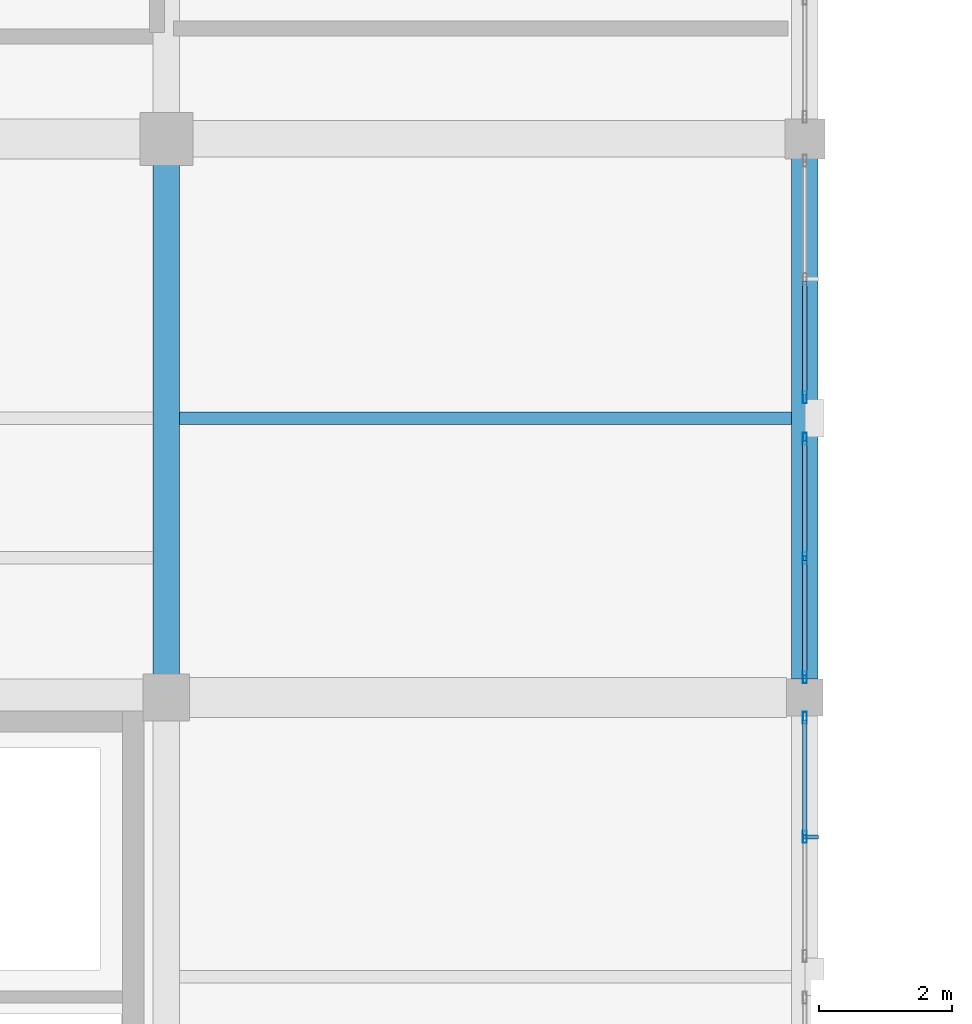
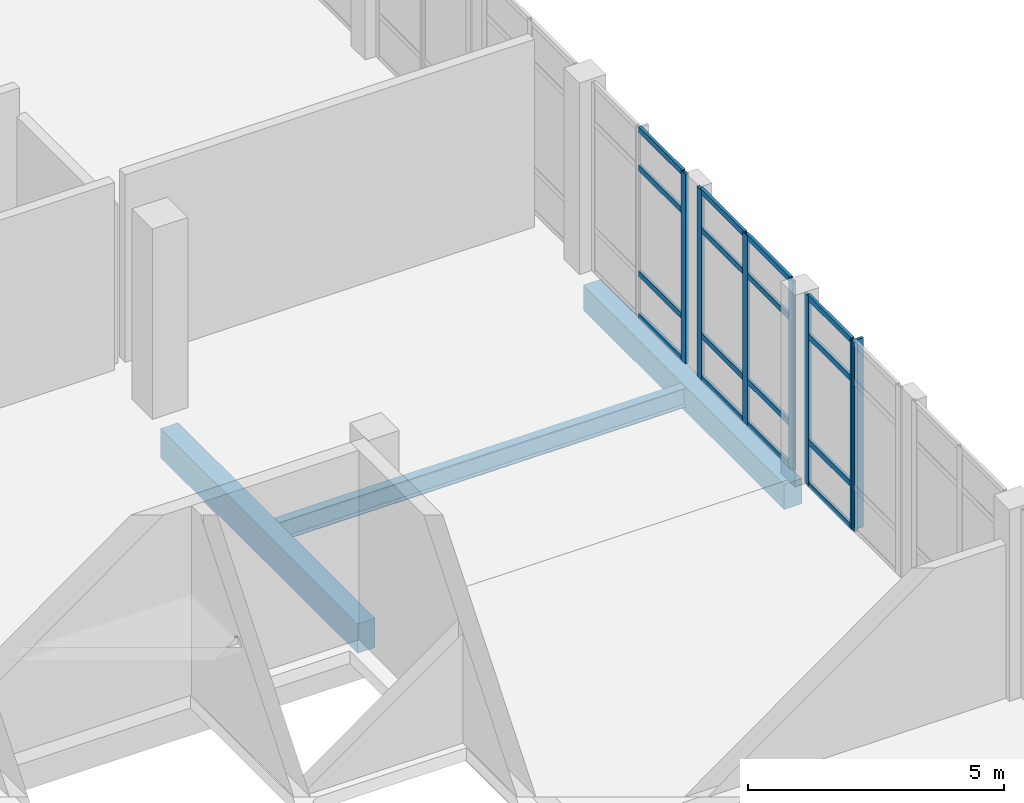
# One storey, part 65 of 102: 23 members, 3 beams, 3 elements without a shape of their own.
"""IFC4 building model written with IfcOpenShell, lengths in metres."""

from ifc_helpers import new_model, si_unit, direction, frame, origin, origin_2d, place, context, subcontext, project, spatial, rectangle, hollow_rectangle, i_section, extrude, material, layer, layer_set, material_profile, profile_set, type_object, element, aggregate, save


model = new_model("IFC4")

# Units and contexts
model_context = context("Model", 3, precision=1e-05, world=origin(), true_north=direction((0.0, 1.0)))
body_context = subcontext(model_context, "Body", "Model", "MODEL_VIEW")
ifc_project = project(units=[si_unit("LENGTHUNIT", "METRE"), si_unit("AREAUNIT", "SQUARE_METRE"), si_unit("VOLUMEUNIT", "CUBIC_METRE"), si_unit("PLANEANGLEUNIT", "RADIAN"), si_unit("MASSUNIT", "GRAM", prefix="KILO")], contexts=[model_context])

# Site, building, storey
site_placement = place(None, origin())
site = spatial("IfcSite", under=ifc_project, at=site_placement, CompositionType="ELEMENT")
building_placement = place(site_placement, origin())
building = spatial("IfcBuilding", under=site, at=building_placement, Name="Lornevale Opera House", CompositionType="ELEMENT")
storey_placement = place(building_placement, frame((0.0, 0.0, 5.39990234375)))
storey = spatial("IfcBuildingStorey", under=building, at=storey_placement, Name="L02", CompositionType="ELEMENT", Elevation=5.39990234375)

# Beams
ifc_material_1 = material(Name="Concrete 35 MPa (CSA A23.1 N)", Category="concrete")
ifc_material_profile_1 = material_profile(ifc_material_1, rectangle(XDim=0.39990234375, YDim=0.699951171875, at=origin_2d()), Name="RC400x700")
ifc_profile_set_1 = profile_set([ifc_material_profile_1], Name="Concrete 35 MPa (CSA A23.1 N)")
beam_type_1 = type_object("IfcBeamType", Name="Concrete Floor Beam 400x700", PredefinedType="USERDEFINED", material=ifc_profile_set_1)
beam_1_placement = place(storey_placement, frame((144.0, 42.324951171875, -0.64990234375), z_axis=(0.0, 1.0, 0.0), x_axis=(-1.0, 0.0, 0.0)))
element("IfcBeam", 1, at=beam_1_placement, inside=storey, type_object=beam_type_1, Name="Concrete Floor Beam 400x700 1964", ObjectType="GIRDER", PredefinedType="USERDEFINED", context=body_context, shape_type="SweptSolid", body=[
    extrude(rectangle(XDim=0.39990234375, YDim=0.699951171875, at=origin_2d()), origin(), (0.0, 0.0, 1.0), 7.699951171875),
])
ifc_material_profile_2 = material_profile(ifc_material_1, rectangle(XDim=0.39990234375, YDim=0.60009765625, at=origin_2d()), Name="RC400x600")
ifc_profile_set_2 = profile_set([ifc_material_profile_2], Name="Concrete 35 MPa (CSA A23.1 N)")
beam_type_2 = type_object("IfcBeamType", Name="Concrete Spandrel Beam 400x600", PredefinedType="SPANDREL", material=ifc_profile_set_2)
beam_2_placement = place(storey_placement, frame((153.60009765625, 42.27490234375, -0.599853515625), z_axis=(0.0, 1.0, 0.0), x_axis=(-1.0, 0.0, 0.0)))
element("IfcBeam", 2, at=beam_2_placement, inside=storey, type_object=beam_type_2, Name="Concrete Spandrel Beam 400x600 1973", PredefinedType="SPANDREL", context=body_context, shape_type="SweptSolid", body=[
    extrude(rectangle(XDim=0.39990234375, YDim=0.60009765625, at=origin_2d()), origin(), (0.0, 0.0, 1.0), 7.85009765625),
])

# Curtain wall, members
ifc_material_2 = material(Name="Anodized Oxide-Green Aluminium Framing", Category="aluminium")
ifc_layer = layer(ifc_material_2, 0.179931640625)
ifc_layer_set = layer_set([ifc_layer], Name="Anodized Oxide-Green Aluminium Framing")
curtain_wall_type = type_object("IfcCurtainWallType", Name="Promenade Gallery Curtain Wall M1800", PredefinedType="NOTDEFINED", material=ifc_layer_set)
curtain_wall_1_placement = place(storey_placement, origin())
curtain_wall_1 = element("IfcCurtainWall", 3, at=curtain_wall_1_placement, inside=storey, type_object=curtain_wall_type, Name="Promenade Gallery Curtain Wall M1800 CW-082", PredefinedType="NOTDEFINED")
ifc_material_profile_3 = material_profile(ifc_material_2, hollow_rectangle(XDim=0.06494140625, YDim=0.179931640625, WallThickness=0.0048828125, at=origin_2d()), Name="ALU65x180x5")
ifc_profile_set_3 = profile_set([ifc_material_profile_3], Name="Anodized Oxide-Green Aluminium Framing")
member_type_1 = type_object("IfcMemberType", Name="Curtain Wall Mullion 65x180", PredefinedType="MULLION", material=ifc_profile_set_3)
member_1_placement = place(storey_placement, frame((153.60009765625, 41.696533203125, 0.0), z_axis=(0.0, 0.0, 1.0), x_axis=(1.0, 0.0, 0.0)))
member_1 = element("IfcMember", 4, at=member_1_placement, type_object=member_type_1, Name="Curtain Wall Mullion 65x180 CW1650", PredefinedType="MULLION", context=body_context, shape_type="SweptSolid", body=[
    extrude(hollow_rectangle(XDim=0.06494140625, YDim=0.179931640625, WallThickness=0.0048828125, at=origin_2d()), origin(), (0.0, 0.0, 1.0), 4.52001953125),
])
member_2_placement = place(storey_placement, frame((153.60009765625, 39.904541015625, 0.0), z_axis=(0.0, 0.0, 1.0), x_axis=(1.0, 0.0, 0.0)))
member_2 = element("IfcMember", 5, at=member_2_placement, type_object=member_type_1, Name="Curtain Wall Mullion 65x180 CW1651", PredefinedType="MULLION", context=body_context, shape_type="SweptSolid", body=[
    extrude(hollow_rectangle(XDim=0.06494140625, YDim=0.179931640625, WallThickness=0.0048828125, at=origin_2d()), origin(), (0.0, 0.0, 1.0), 4.52001953125),
])

# Curtain wall, member
curtain_wall_2_placement = place(storey_placement, origin())
curtain_wall_2 = element("IfcCurtainWall", 6, at=curtain_wall_2_placement, inside=storey, type_object=curtain_wall_type, Name="Promenade Gallery Curtain Wall M1800 CW-084", PredefinedType="NOTDEFINED")
member_3_placement = place(storey_placement, frame((153.60009765625, 46.512451171875, 0.0), z_axis=(0.0, 0.0, 1.0), x_axis=(1.0, 0.0, 0.0)))
member_3 = element("IfcMember", 7, at=member_3_placement, type_object=member_type_1, Name="Curtain Wall Mullion 65x180 CW1686", PredefinedType="MULLION", context=body_context, shape_type="SweptSolid", body=[
    extrude(hollow_rectangle(XDim=0.06494140625, YDim=0.179931640625, WallThickness=0.0048828125, at=origin_2d()), origin(), (0.0, 0.0, 1.0), 4.52001953125),
])

# Curtain wall, members
curtain_wall_3_placement = place(storey_placement, origin())
curtain_wall_3 = element("IfcCurtainWall", 8, at=curtain_wall_3_placement, inside=storey, type_object=curtain_wall_type, Name="Promenade Gallery Curtain Wall M1800 CW-085", PredefinedType="NOTDEFINED")
member_4_placement = place(storey_placement, frame((153.60009765625, 45.887451171875, 0.0), z_axis=(0.0, 0.0, 1.0), x_axis=(1.0, 0.0, 0.0)))
member_4 = element("IfcMember", 9, at=member_4_placement, type_object=member_type_1, Name="Curtain Wall Mullion 65x180 CW1701", PredefinedType="MULLION", context=body_context, shape_type="SweptSolid", body=[
    extrude(hollow_rectangle(XDim=0.06494140625, YDim=0.179931640625, WallThickness=0.0048828125, at=origin_2d()), origin(), (0.0, 0.0, 1.0), 4.52001953125),
])
member_5_placement = place(storey_placement, frame((153.60009765625, 44.095458984375, 0.0), z_axis=(0.0, 0.0, 1.0), x_axis=(1.0, 0.0, 0.0)))
member_5 = element("IfcMember", 10, at=member_5_placement, type_object=member_type_1, Name="Curtain Wall Mullion 65x180 CW1702", PredefinedType="MULLION", context=body_context, shape_type="SweptSolid", body=[
    extrude(hollow_rectangle(XDim=0.06494140625, YDim=0.179931640625, WallThickness=0.0048828125, at=origin_2d()), origin(), (0.0, 0.0, 1.0), 4.52001953125),
])
member_6_placement = place(storey_placement, frame((153.60009765625, 42.303466796875, 0.0), z_axis=(0.0, 0.0, 1.0), x_axis=(1.0, 0.0, 0.0)))
member_6 = element("IfcMember", 11, at=member_6_placement, type_object=member_type_1, Name="Curtain Wall Mullion 65x180 CW1703", PredefinedType="MULLION", context=body_context, shape_type="SweptSolid", body=[
    extrude(hollow_rectangle(XDim=0.06494140625, YDim=0.179931640625, WallThickness=0.0048828125, at=origin_2d()), origin(), (0.0, 0.0, 1.0), 4.52001953125),
])

# Member
ifc_material_profile_4 = material_profile(ifc_material_2, hollow_rectangle(XDim=0.06494140625, YDim=0.135009765625, WallThickness=0.00390625, at=origin_2d()), Name="ALU65x135x4")
ifc_profile_set_4 = profile_set([ifc_material_profile_4], Name="Anodized Oxide-Green Aluminium Framing")
member_type_2 = type_object("IfcMemberType", Name="Curtain Wall Transom 65x135", PredefinedType="USERDEFINED", material=ifc_profile_set_4)
member_7_placement = place(storey_placement, frame((153.60009765625, 41.6640625, 0.03271484375), z_axis=(0.0, -1.0, 0.0), x_axis=(1.0, 0.0, 0.0)))
member_7 = element("IfcMember", 12, at=member_7_placement, type_object=member_type_2, Name="Curtain Wall Transom 65x135 CW1653", ObjectType="TRANSOM", PredefinedType="USERDEFINED", context=body_context, shape_type="SweptSolid", body=[
    extrude(hollow_rectangle(XDim=0.06494140625, YDim=0.135009765625, WallThickness=0.00390625, at=origin_2d()), origin(), (0.0, 0.0, 1.0), 1.72705078125),
])

member_8_placement = place(storey_placement, frame((153.60009765625, 41.6640625, 1.050048828125), z_axis=(0.0, -1.0, 0.0), x_axis=(1.0, 0.0, 0.0)))
member_8 = element("IfcMember", 13, at=member_8_placement, type_object=member_type_2, Name="Curtain Wall Transom 65x135 CW1654", ObjectType="TRANSOM", PredefinedType="USERDEFINED", context=body_context, shape_type="SweptSolid", body=[
    extrude(hollow_rectangle(XDim=0.06494140625, YDim=0.135009765625, WallThickness=0.00390625, at=origin_2d()), origin(), (0.0, 0.0, 1.0), 1.72705078125),
])

member_9_placement = place(storey_placement, frame((153.60009765625, 41.6640625, 3.570068359375), z_axis=(0.0, -1.0, 0.0), x_axis=(1.0, 0.0, 0.0)))
member_9 = element("IfcMember", 14, at=member_9_placement, type_object=member_type_2, Name="Curtain Wall Transom 65x135 CW1655", ObjectType="TRANSOM", PredefinedType="USERDEFINED", context=body_context, shape_type="SweptSolid", body=[
    extrude(hollow_rectangle(XDim=0.06494140625, YDim=0.135009765625, WallThickness=0.00390625, at=origin_2d()), origin(), (0.0, 0.0, 1.0), 1.72705078125),
])

member_10_placement = place(storey_placement, frame((153.60009765625, 41.6640625, 4.487548828125), z_axis=(0.0, -1.0, 0.0), x_axis=(1.0, 0.0, 0.0)))
member_10 = element("IfcMember", 15, at=member_10_placement, type_object=member_type_2, Name="Curtain Wall Transom 65x135 CW1656", ObjectType="TRANSOM", PredefinedType="USERDEFINED", context=body_context, shape_type="SweptSolid", body=[
    extrude(hollow_rectangle(XDim=0.06494140625, YDim=0.135009765625, WallThickness=0.00390625, at=origin_2d()), origin(), (0.0, 0.0, 1.0), 1.72705078125),
])

member_11_placement = place(storey_placement, frame((153.60009765625, 48.259521484375, 0.03271484375), z_axis=(0.0, -1.0, 0.0), x_axis=(1.0, 0.0, 0.0)))
member_11 = element("IfcMember", 16, at=member_11_placement, type_object=member_type_2, Name="Curtain Wall Transom 65x135 CW1694", ObjectType="TRANSOM", PredefinedType="USERDEFINED", context=body_context, shape_type="SweptSolid", body=[
    extrude(hollow_rectangle(XDim=0.06494140625, YDim=0.135009765625, WallThickness=0.00390625, at=origin_2d()), origin(), (0.0, 0.0, 1.0), 1.714599609375),
])

member_12_placement = place(storey_placement, frame((153.60009765625, 48.259521484375, 1.050048828125), z_axis=(0.0, -1.0, 0.0), x_axis=(1.0, 0.0, 0.0)))
member_12 = element("IfcMember", 17, at=member_12_placement, type_object=member_type_2, Name="Curtain Wall Transom 65x135 CW1695", ObjectType="TRANSOM", PredefinedType="USERDEFINED", context=body_context, shape_type="SweptSolid", body=[
    extrude(hollow_rectangle(XDim=0.06494140625, YDim=0.135009765625, WallThickness=0.00390625, at=origin_2d()), origin(), (0.0, 0.0, 1.0), 1.714599609375),
])

member_13_placement = place(storey_placement, frame((153.60009765625, 48.259521484375, 3.570068359375), z_axis=(0.0, -1.0, 0.0), x_axis=(1.0, 0.0, 0.0)))
member_13 = element("IfcMember", 18, at=member_13_placement, type_object=member_type_2, Name="Curtain Wall Transom 65x135 CW1696", ObjectType="TRANSOM", PredefinedType="USERDEFINED", context=body_context, shape_type="SweptSolid", body=[
    extrude(hollow_rectangle(XDim=0.06494140625, YDim=0.135009765625, WallThickness=0.00390625, at=origin_2d()), origin(), (0.0, 0.0, 1.0), 1.714599609375),
])

member_14_placement = place(storey_placement, frame((153.60009765625, 48.259521484375, 4.487548828125), z_axis=(0.0, -1.0, 0.0), x_axis=(1.0, 0.0, 0.0)))
member_14 = element("IfcMember", 19, at=member_14_placement, type_object=member_type_2, Name="Curtain Wall Transom 65x135 CW1697", ObjectType="TRANSOM", PredefinedType="USERDEFINED", context=body_context, shape_type="SweptSolid", body=[
    extrude(hollow_rectangle(XDim=0.06494140625, YDim=0.135009765625, WallThickness=0.00390625, at=origin_2d()), origin(), (0.0, 0.0, 1.0), 1.714599609375),
])

aggregate(curtain_wall_2, [member_3, member_11, member_12, member_13, member_14])

member_15_placement = place(storey_placement, frame((153.60009765625, 45.85498046875, 0.03271484375), z_axis=(0.0, -1.0, 0.0), x_axis=(1.0, 0.0, 0.0)))
member_15 = element("IfcMember", 20, at=member_15_placement, type_object=member_type_2, Name="Curtain Wall Transom 65x135 CW1704", ObjectType="TRANSOM", PredefinedType="USERDEFINED", context=body_context, shape_type="SweptSolid", body=[
    extrude(hollow_rectangle(XDim=0.06494140625, YDim=0.135009765625, WallThickness=0.00390625, at=origin_2d()), origin(), (0.0, 0.0, 1.0), 1.72705078125),
])

member_16_placement = place(storey_placement, frame((153.60009765625, 45.85498046875, 1.050048828125), z_axis=(0.0, -1.0, 0.0), x_axis=(1.0, 0.0, 0.0)))
member_16 = element("IfcMember", 21, at=member_16_placement, type_object=member_type_2, Name="Curtain Wall Transom 65x135 CW1705", ObjectType="TRANSOM", PredefinedType="USERDEFINED", context=body_context, shape_type="SweptSolid", body=[
    extrude(hollow_rectangle(XDim=0.06494140625, YDim=0.135009765625, WallThickness=0.00390625, at=origin_2d()), origin(), (0.0, 0.0, 1.0), 1.72705078125),
])

member_17_placement = place(storey_placement, frame((153.60009765625, 45.85498046875, 3.570068359375), z_axis=(0.0, -1.0, 0.0), x_axis=(1.0, 0.0, 0.0)))
member_17 = element("IfcMember", 22, at=member_17_placement, type_object=member_type_2, Name="Curtain Wall Transom 65x135 CW1706", ObjectType="TRANSOM", PredefinedType="USERDEFINED", context=body_context, shape_type="SweptSolid", body=[
    extrude(hollow_rectangle(XDim=0.06494140625, YDim=0.135009765625, WallThickness=0.00390625, at=origin_2d()), origin(), (0.0, 0.0, 1.0), 1.72705078125),
])

member_18_placement = place(storey_placement, frame((153.60009765625, 45.85498046875, 4.487548828125), z_axis=(0.0, -1.0, 0.0), x_axis=(1.0, 0.0, 0.0)))
member_18 = element("IfcMember", 23, at=member_18_placement, type_object=member_type_2, Name="Curtain Wall Transom 65x135 CW1707", ObjectType="TRANSOM", PredefinedType="USERDEFINED", context=body_context, shape_type="SweptSolid", body=[
    extrude(hollow_rectangle(XDim=0.06494140625, YDim=0.135009765625, WallThickness=0.00390625, at=origin_2d()), origin(), (0.0, 0.0, 1.0), 1.72705078125),
])

member_19_placement = place(storey_placement, frame((153.60009765625, 44.06298828125, 0.03271484375), z_axis=(0.0, -1.0, 0.0), x_axis=(1.0, 0.0, 0.0)))
member_19 = element("IfcMember", 24, at=member_19_placement, type_object=member_type_2, Name="Curtain Wall Transom 65x135 CW1711", ObjectType="TRANSOM", PredefinedType="USERDEFINED", context=body_context, shape_type="SweptSolid", body=[
    extrude(hollow_rectangle(XDim=0.06494140625, YDim=0.135009765625, WallThickness=0.00390625, at=origin_2d()), origin(), (0.0, 0.0, 1.0), 1.72705078125),
])

member_20_placement = place(storey_placement, frame((153.60009765625, 44.06298828125, 1.050048828125), z_axis=(0.0, -1.0, 0.0), x_axis=(1.0, 0.0, 0.0)))
member_20 = element("IfcMember", 25, at=member_20_placement, type_object=member_type_2, Name="Curtain Wall Transom 65x135 CW1712", ObjectType="TRANSOM", PredefinedType="USERDEFINED", context=body_context, shape_type="SweptSolid", body=[
    extrude(hollow_rectangle(XDim=0.06494140625, YDim=0.135009765625, WallThickness=0.00390625, at=origin_2d()), origin(), (0.0, 0.0, 1.0), 1.72705078125),
])

member_21_placement = place(storey_placement, frame((153.60009765625, 44.06298828125, 3.570068359375), z_axis=(0.0, -1.0, 0.0), x_axis=(1.0, 0.0, 0.0)))
member_21 = element("IfcMember", 26, at=member_21_placement, type_object=member_type_2, Name="Curtain Wall Transom 65x135 CW1713", ObjectType="TRANSOM", PredefinedType="USERDEFINED", context=body_context, shape_type="SweptSolid", body=[
    extrude(hollow_rectangle(XDim=0.06494140625, YDim=0.135009765625, WallThickness=0.00390625, at=origin_2d()), origin(), (0.0, 0.0, 1.0), 1.72705078125),
])

member_22_placement = place(storey_placement, frame((153.60009765625, 44.06298828125, 4.487548828125), z_axis=(0.0, -1.0, 0.0), x_axis=(1.0, 0.0, 0.0)))
member_22 = element("IfcMember", 27, at=member_22_placement, type_object=member_type_2, Name="Curtain Wall Transom 65x135 CW1714", ObjectType="TRANSOM", PredefinedType="USERDEFINED", context=body_context, shape_type="SweptSolid", body=[
    extrude(hollow_rectangle(XDim=0.06494140625, YDim=0.135009765625, WallThickness=0.00390625, at=origin_2d()), origin(), (0.0, 0.0, 1.0), 1.72705078125),
])

aggregate(curtain_wall_3, [member_4, member_5, member_6, member_15, member_16, member_17, member_18, member_19, member_20, member_21, member_22])

ifc_material_3 = material(Name="Architectural Bronze Solar Louvre Alloy", Category="metal")
ifc_material_profile_5 = material_profile(ifc_material_3, rectangle(XDim=0.06005859375, YDim=0.239990234375, at=origin_2d()), Name="FIN60x240")
ifc_profile_set_5 = profile_set([ifc_material_profile_5], Name="Architectural Bronze Solar Louvre Alloy")
member_type_3 = type_object("IfcMemberType", Name="Solar Shading Fin 60x240", PredefinedType="USERDEFINED", material=ifc_profile_set_5)
member_23_placement = place(storey_placement, frame((153.68408203125, 39.904541015625, 0.0), z_axis=(0.0, 0.0, 1.0), x_axis=(0.0, -1.0, 0.0)))
member_23 = element("IfcMember", 28, at=member_23_placement, type_object=member_type_3, Name="Solar Shading Fin 60x240 FIN0036", ObjectType="SOLAR FIN", PredefinedType="USERDEFINED", context=body_context, shape_type="SweptSolid", body=[
    extrude(rectangle(XDim=0.06005859375, YDim=0.239990234375, at=origin_2d()), origin(), (0.0, 0.0, 1.0), 4.52001953125),
])

aggregate(curtain_wall_1, [member_1, member_2, member_7, member_8, member_9, member_10, member_23])

# Beam
ifc_material_4 = material(Name="Structural Steel CSA G40.21 Grade 350W (350 MPa)", Category="steel")
ifc_material_profile_6 = material_profile(ifc_material_4, i_section(OverallWidth=0.19189453125, OverallDepth=0.462890625, WebThickness=0.010498046875, FlangeThickness=0.017578125, at=origin_2d()), Name="W460x89")
ifc_profile_set_6 = profile_set([ifc_material_profile_6], Name="Structural Steel CSA G40.21 Grade 350W (350 MPa)")
beam_type_3 = type_object("IfcBeamType", Name="Steel Floor Joist W460x89", PredefinedType="JOIST", material=ifc_profile_set_6)
beam_3_placement = place(storey_placement, frame((144.199951171875, 46.199951171875, -0.54638671875), z_axis=(1.0, 0.0, 0.0), x_axis=(0.0, 1.0, 0.0)))
element("IfcBeam", 29, at=beam_3_placement, inside=storey, type_object=beam_type_3, Name="Steel Floor Joist W460x89 2076", PredefinedType="JOIST", context=body_context, shape_type="SweptSolid", body=[
    extrude(i_section(OverallWidth=0.19189453125, OverallDepth=0.462890625, WebThickness=0.010498046875, FlangeThickness=0.017578125, at=origin_2d()), origin(), (0.0, 0.0, 1.0), 9.199951171875),
])

save(model, "model.ifc")
